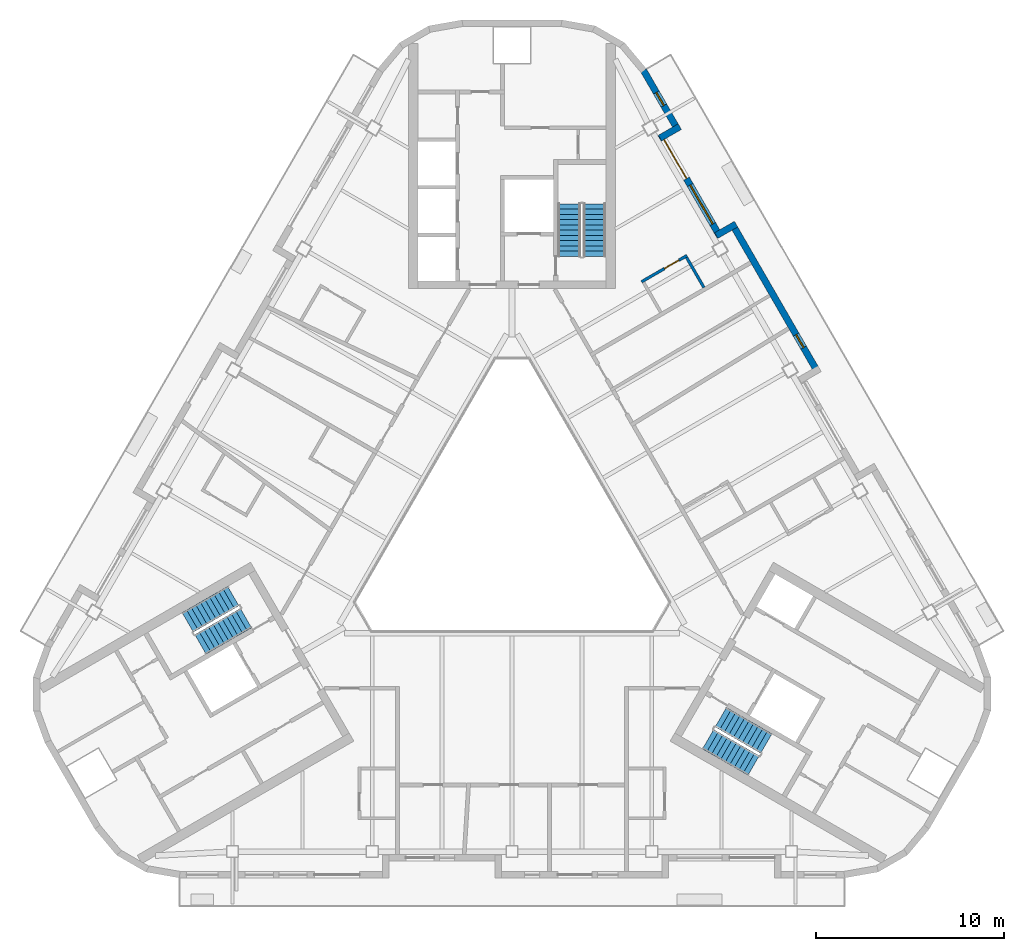
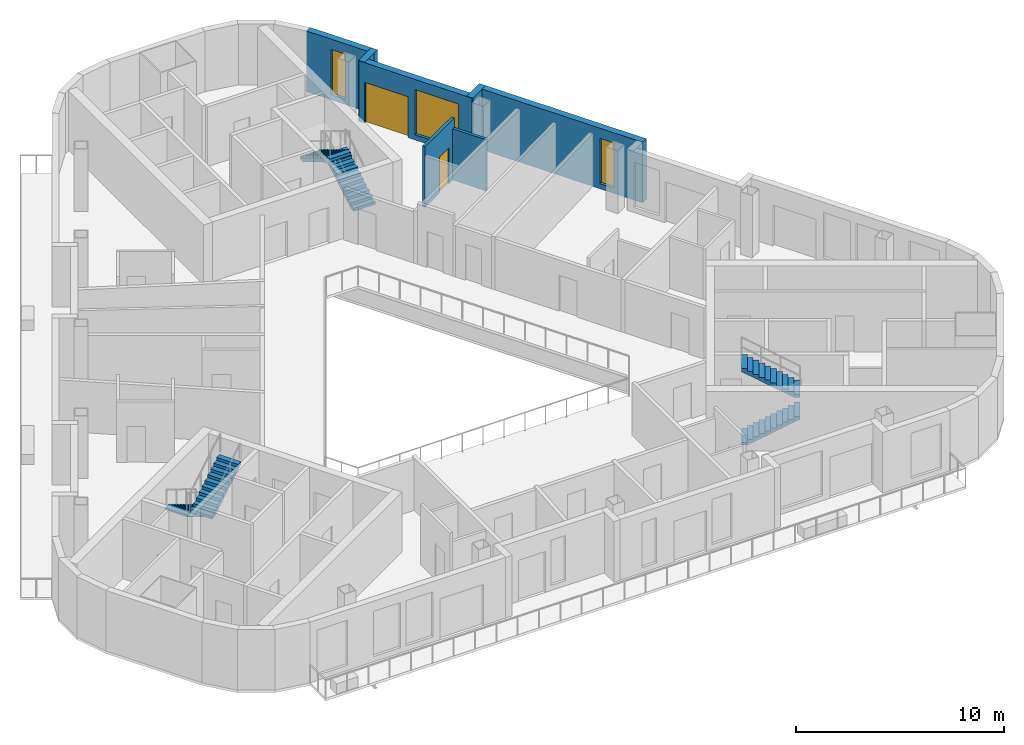
# One storey, part 8 of 13: 7 walls, 6 stair flights, 3 windows, 2 doors, 5 openings, 3 elements without a shape of their own.
"""IFC4 building model written with IfcOpenShell, lengths in metres."""

from ifc_helpers import new_model, si_unit, direction, frame, frame_2d, origin, place, context, subcontext, project, spatial, polyline, rectangle, outline, extrude, material, layer, layer_set, type_object, element, fill, aggregate, save


model = new_model("IFC4")

# Units and contexts
model_context = context("Model", 3, precision=1e-05, world=origin(), true_north=direction((0.0, 1.0)))
body_context = subcontext(model_context, "Body", "Model", "MODEL_VIEW")
ifc_project = project(units=[si_unit("LENGTHUNIT", "METRE"), si_unit("AREAUNIT", "SQUARE_METRE"), si_unit("VOLUMEUNIT", "CUBIC_METRE"), si_unit("PLANEANGLEUNIT", "RADIAN"), si_unit("MASSUNIT", "GRAM", prefix="KILO")], contexts=[model_context])

# Site, building, storey
site_placement = place(None, origin())
site = spatial("IfcSite", under=ifc_project, at=site_placement, CompositionType="ELEMENT")
building_placement = place(site_placement, origin())
building = spatial("IfcBuilding", under=site, at=building_placement, Name="Apuvela Tower Hotel", CompositionType="ELEMENT")
storey_placement = place(building_placement, frame((0.0, 0.0, 272.60009765625)))
storey = spatial("IfcBuildingStorey", under=building, at=storey_placement, Name="L67", CompositionType="ELEMENT", Elevation=272.60009765625)

# Wall, opening, window
ifc_material_1 = material(Name="Concrete C40/50, dark pigmented precast panel", Category="concrete")
ifc_layer_1 = layer(ifc_material_1, 0.35009765625)
ifc_layer_set_1 = layer_set([ifc_layer_1], Name="ENV-WALL-350")
wall_type_1 = type_object("IfcWallType", Name="ENV-WALL-350", PredefinedType="SOLIDWALL", material=ifc_layer_set_1)
wall_1_placement = place(storey_placement, frame((16.31640625, 8.381103515625, 0.0), z_axis=(0.0, 0.0, 1.0), x_axis=(-0.500005190411, 0.866022407078, 0.0)))
wall_1 = element("IfcWall", 1, at=wall_1_placement, inside=storey, type_object=wall_type_1, Name="External wall L67-37", PredefinedType="SOLIDWALL", context=body_context, shape_type="SweptSolid", body=[
    extrude(rectangle(XDim=9.24365234375, YDim=0.35009765625, at=frame_2d((4.621826171875, 0.0))), origin(), (0.0, 0.0, 1.0), 3.5498046875),
])
opening_1_placement = place(wall_1_placement, frame((1.5751953125, 0.0, 0.300048828125)))
opening_1 = element("IfcOpeningElement", 2, at=opening_1_placement, cuts=wall_1, Name="Opening WN08", PredefinedType="OPENING", context=body_context, shape_type="SweptSolid", body=[
    extrude(rectangle(XDim=0.800048828125, YDim=2.64990234375, at=frame_2d((0.39990234375, 1.324951171875))), frame((0.0, 0.18505859375, 0.0), z_axis=(0.0, -1.0, 0.0), x_axis=(1.0, 0.0, 0.0)), (0.0, 0.0, 1.0), 0.3701171875),
])
ifc_material_2 = material(Name="Glass, dark tinted laminated insulated glazing unit", Category="glass")
window_type_1 = type_object("IfcWindowType", Name="ENV-WIN-800x2650", PartitioningType="SINGLE_PANEL", PredefinedType="WINDOW", material=ifc_material_2)
window_1_placement = place(opening_1_placement, origin())
window_1 = element("IfcWindow", 3, at=window_1_placement, inside=storey, type_object=window_type_1, Name="Window WN08", OverallHeight=2.64990234375, OverallWidth=0.800048828125, PartitioningType="SINGLE_PANEL", PredefinedType="WINDOW", context=body_context, shape_type="SweptSolid", body=[
    extrude(rectangle(XDim=0.800048828125, YDim=2.64990234375, at=frame_2d((0.39990234375, 1.324951171875))), frame((0.0, 0.030029296875, 0.0), z_axis=(0.0, -1.0, 0.0), x_axis=(1.0, 0.0, 0.0)), (0.0, 0.0, 1.0), 0.06005859375),
])
fill(opening_1, window_1)

# Wall
wall_2_placement = place(storey_placement, frame((11.93359375, 16.322265625, 0.0), z_axis=(0.0, 0.0, 1.0), x_axis=(-0.866005645448, -0.500034220881, 0.0)))
element("IfcWall", 4, at=wall_2_placement, inside=storey, type_object=wall_type_1, Name="External wall L67-38", PredefinedType="SOLIDWALL", context=body_context, shape_type="SweptSolid", body=[
    extrude(rectangle(XDim=1.22021484375, YDim=0.35009765625, at=frame_2d((0.610107421875, 0.0))), origin(), (0.0, 0.0, 1.0), 3.5498046875),
])

# Wall, openings, door, window
wall_3_placement = place(storey_placement, frame((11.074951171875, 15.6591796875, 0.0), z_axis=(0.0, 0.0, 1.0), x_axis=(-0.499983676521, 0.866034827944, 0.0)))
wall_3 = element("IfcWall", 5, at=wall_3_placement, inside=storey, type_object=wall_type_1, Name="External wall L67-39", PredefinedType="SOLIDWALL", context=body_context, shape_type="SweptSolid", body=[
    extrude(rectangle(XDim=6.283447265625, YDim=0.35009765625, at=frame_2d((3.1416015625, 0.0))), origin(), (0.0, 0.0, 1.0), 3.5498046875),
])
opening_2_placement = place(wall_3_placement, frame((3.5634765625, 0.0, 0.0)))
opening_2 = element("IfcOpeningElement", 6, at=opening_2_placement, cuts=wall_3, Name="Opening BD24", PredefinedType="OPENING", context=body_context, shape_type="SweptSolid", body=[
    extrude(rectangle(XDim=2.39990234375, YDim=2.39990234375, at=frame_2d((1.199951171875, 1.199951171875))), frame((0.0, 0.18505859375, 0.0), z_axis=(0.0, -1.0, 0.0), x_axis=(1.0, 0.0, 0.0)), (0.0, 0.0, 1.0), 0.3701171875),
])
opening_3_placement = place(wall_3_placement, frame((0.77001953125, 0.0, 0.300048828125)))
opening_3 = element("IfcOpeningElement", 7, at=opening_3_placement, cuts=wall_3, Name="Opening WN24", PredefinedType="OPENING", context=body_context, shape_type="SweptSolid", body=[
    extrude(rectangle(XDim=2.39990234375, YDim=2.64990234375, at=frame_2d((1.199951171875, 1.324951171875))), frame((0.0, 0.18505859375, 0.0), z_axis=(0.0, -1.0, 0.0), x_axis=(1.0, 0.0, 0.0)), (0.0, 0.0, 1.0), 0.3701171875),
])
ifc_material_3 = material(Name="Aluminium 6063-T6, dark bronze anodised frame with dark tinted laminated glass", Category="aluminium")
door_type_1 = type_object("IfcDoorType", Name="ENV-DOOR-BALCONY-2400x2400", OperationType="SLIDING_TO_LEFT", PredefinedType="DOOR", material=ifc_material_3)
door_1_placement = place(opening_2_placement, frame((2.39990234375, 0.0, 0.0), z_axis=(0.0, 0.0, 1.0), x_axis=(-1.0, 0.0, 0.0)))
door_1 = element("IfcDoor", 8, at=door_1_placement, inside=storey, type_object=door_type_1, Name="Balcony door BD24", OperationType="SLIDING_TO_LEFT", OverallHeight=2.39990234375, OverallWidth=2.39990234375, PredefinedType="DOOR", context=body_context, shape_type="SweptSolid", body=[
    extrude(rectangle(XDim=2.39990234375, YDim=2.39990234375, at=frame_2d((1.199951171875, 1.199951171875))), frame((0.0, 0.02490234375, 0.0), z_axis=(0.0, -1.0, 0.0), x_axis=(1.0, 0.0, 0.0)), (0.0, 0.0, 1.0), 0.050048828125),
])
fill(opening_2, door_1)
window_type_2 = type_object("IfcWindowType", Name="ENV-WIN-2400x2650", PartitioningType="SINGLE_PANEL", PredefinedType="WINDOW", material=ifc_material_2)
window_2_placement = place(opening_3_placement, origin())
window_2 = element("IfcWindow", 9, at=window_2_placement, inside=storey, type_object=window_type_2, Name="Window WN24", OverallHeight=2.64990234375, OverallWidth=2.39990234375, PartitioningType="SINGLE_PANEL", PredefinedType="WINDOW", context=body_context, shape_type="SweptSolid", body=[
    extrude(rectangle(XDim=2.39990234375, YDim=2.64990234375, at=frame_2d((1.199951171875, 1.324951171875))), frame((0.0, 0.030029296875, 0.0), z_axis=(0.0, -1.0, 0.0), x_axis=(1.0, 0.0, 0.0)), (0.0, 0.0, 1.0), 0.06005859375),
])
fill(opening_3, window_2)

# Wall
wall_4_placement = place(storey_placement, frame((7.880126953125, 20.902587890625, 0.0), z_axis=(0.0, 0.0, 1.0), x_axis=(0.866005645448, 0.500034220881, 0.0)))
element("IfcWall", 10, at=wall_4_placement, inside=storey, type_object=wall_type_1, Name="External wall L67-40", PredefinedType="SOLIDWALL", context=body_context, shape_type="SweptSolid", body=[
    extrude(rectangle(XDim=1.22021484375, YDim=0.35009765625, at=frame_2d((0.610107421875, 0.0))), origin(), (0.0, 0.0, 1.0), 3.5498046875),
])

# Wall, opening, window
wall_5_placement = place(storey_placement, frame((8.872802734375, 21.273681640625, 0.0), z_axis=(0.0, 0.0, 1.0), x_axis=(-0.50001992892, 0.866013897511, 0.0)))
wall_5 = element("IfcWall", 11, at=wall_5_placement, inside=storey, type_object=wall_type_1, Name="External wall L67-41", PredefinedType="SOLIDWALL", context=body_context, shape_type="SweptSolid", body=[
    extrude(rectangle(XDim=3.741455078125, YDim=0.35009765625, at=frame_2d((1.87060546875, 0.0))), origin(), (0.0, 0.0, 1.0), 3.5498046875),
])
opening_4_placement = place(wall_5_placement, frame((1.5751953125, 0.0, 0.300048828125)))
opening_4 = element("IfcOpeningElement", 12, at=opening_4_placement, cuts=wall_5, Name="Opening WN08", PredefinedType="OPENING", context=body_context, shape_type="SweptSolid", body=[
    extrude(rectangle(XDim=0.800048828125, YDim=2.64990234375, at=frame_2d((0.39990234375, 1.324951171875))), frame((0.0, 0.18505859375, 0.0), z_axis=(0.0, -1.0, 0.0), x_axis=(1.0, 0.0, 0.0)), (0.0, 0.0, 1.0), 0.3701171875),
])
window_3_placement = place(opening_4_placement, origin())
window_3 = element("IfcWindow", 13, at=window_3_placement, inside=storey, type_object=window_type_1, Name="Window WN08", OverallHeight=2.64990234375, OverallWidth=0.800048828125, PartitioningType="SINGLE_PANEL", PredefinedType="WINDOW", context=body_context, shape_type="SweptSolid", body=[
    extrude(rectangle(XDim=0.800048828125, YDim=2.64990234375, at=frame_2d((0.39990234375, 1.324951171875))), frame((0.0, 0.030029296875, 0.0), z_axis=(0.0, -1.0, 0.0), x_axis=(1.0, 0.0, 0.0)), (0.0, 0.0, 1.0), 0.06005859375),
])
fill(opening_4, window_3)

# Wall, opening, door
ifc_material_4 = material(Name="Moisture-resistant gypsum board wet wall on steel stud", Category="steel")
ifc_layer_2 = layer(ifc_material_4, 0.14990234375)
ifc_layer_set_2 = layer_set([ifc_layer_2], Name="GST-PW3")
wall_type_2 = type_object("IfcWallType", Name="GST-PW3", PredefinedType="PARTITIONING", material=ifc_layer_set_2)
wall_6_placement = place(storey_placement, frame((9.32421875, 14.64990234375, 0.0), z_axis=(0.0, 0.0, 1.0), x_axis=(-0.866034573852, -0.49998411664, 0.0)))
wall_6 = element("IfcWall", 14, at=wall_6_placement, inside=storey, type_object=wall_type_2, Name="L67 partition 33", PredefinedType="PARTITIONING", context=body_context, shape_type="SweptSolid", body=[
    extrude(rectangle(XDim=2.7998046875, YDim=0.14990234375, at=frame_2d((1.39990234375, 0.0))), origin(), (0.0, 0.0, 1.0), 3.5498046875),
])
opening_5_placement = place(wall_6_placement, frame((0.5, 0.0, 0.0)))
opening_5 = element("IfcOpeningElement", 15, at=opening_5_placement, cuts=wall_6, Name="Opening GD26-14", PredefinedType="OPENING", context=body_context, shape_type="SweptSolid", body=[
    extrude(rectangle(XDim=0.89990234375, YDim=2.10009765625, at=frame_2d((0.449951171875, 1.050048828125))), frame((0.0, 0.0849609375, 0.0), z_axis=(0.0, -1.0, 0.0), x_axis=(1.0, 0.0, 0.0)), (0.0, 0.0, 1.0), 0.169921875),
])
ifc_material_5 = material(Name="Timber door leaf in steel frame", Category="steel")
door_type_2 = type_object("IfcDoorType", Name="GST-D2", OperationType="NOTDEFINED", PredefinedType="DOOR", material=ifc_material_5)
door_2_placement = place(opening_5_placement, origin())
door_2 = element("IfcDoor", 16, at=door_2_placement, inside=storey, type_object=door_type_2, Name="Door L67-14", OperationType="SINGLE_SWING_LEFT", OverallHeight=2.10009765625, OverallWidth=0.89990234375, PredefinedType="DOOR", context=body_context, shape_type="SweptSolid", body=[
    extrude(rectangle(XDim=0.89990234375, YDim=2.10009765625, at=frame_2d((0.449951171875, 1.050048828125))), frame((0.0, 0.02490234375, 0.0), z_axis=(0.0, -1.0, 0.0), x_axis=(1.0, 0.0, 0.0)), (0.0, 0.0, 1.0), 0.050048828125),
])
fill(opening_5, door_2)

# Wall
wall_7_placement = place(storey_placement, frame((10.2216796875, 12.9453125, 0.0), z_axis=(0.0, 0.0, 1.0), x_axis=(-0.49994333299, 0.866058118026, 0.0)))
element("IfcWall", 17, at=wall_7_placement, inside=storey, type_object=wall_type_2, Name="L67 partition 34", PredefinedType="PARTITIONING", context=body_context, shape_type="SweptSolid", body=[
    extrude(rectangle(XDim=1.849853515625, YDim=0.14990234375, at=frame_2d((0.9248046875, 0.0))), origin(), (0.0, 0.0, 1.0), 3.0),
])

# Stair, stair flights
ifc_material_6 = material(Name="Concrete C50/60", Category="concrete")
stair_type = type_object("IfcStairType", Name="COR-STAIR-22R", PredefinedType="HALF_TURN_STAIR", material=ifc_material_6)
stair_1_placement = place(storey_placement, origin())
stair_1 = element("IfcStair", 18, at=stair_1_placement, inside=storey, type_object=stair_type, Name="L67 Exit stair ST1", PredefinedType="HALF_TURN_STAIR")
stair_flight_type = type_object("IfcStairFlightType", Name="COR-FLIGHT-11R", PredefinedType="STRAIGHT", material=ifc_material_6)
stair_flight_1_placement = place(storey_placement, frame((4.39990234375, 14.60009765625, 0.0), z_axis=(0.0, 0.0, 1.0), x_axis=(0.0, 1.0, 0.0)))
stair_flight_1 = element("IfcStairFlight", 19, at=stair_flight_1_placement, type_object=stair_flight_type, Name="ST1 flight 1", NumberOfRisers=11, NumberOfTreads=10, PredefinedType="STRAIGHT", RiserHeight=0.168181818, TreadLength=0.28, context=body_context, shape_type="SweptSolid", body=[
    extrude(outline(polyline([(0.0, 0.0), (0.0, 0.168212890625), (0.280029296875, 0.168212890625), (0.280029296875, 0.33642578125), (0.56005859375, 0.33642578125), (0.56005859375, 0.504638671875), (0.840087890625, 0.504638671875), (0.840087890625, 0.672607421875), (1.1201171875, 0.672607421875), (1.1201171875, 0.8408203125), (1.39990234375, 0.8408203125), (1.39990234375, 1.009033203125), (1.679931640625, 1.009033203125), (1.679931640625, 1.17724609375), (1.9599609375, 1.17724609375), (1.9599609375, 1.345458984375), (2.239990234375, 1.345458984375), (2.239990234375, 1.513671875), (2.52001953125, 1.513671875), (2.52001953125, 1.681884765625), (2.800048828125, 1.681884765625), (2.800048828125, 1.85009765625), (2.800048828125, 1.5068359375), (0.291015625, 0.0), (0.0, 0.0)])), frame((0.0, 0.60009765625, 0.0), z_axis=(0.0, -1.0, 0.0), x_axis=(1.0, 0.0, 0.0)), (0.0, 0.0, 1.0), 1.199951171875),
])
stair_flight_2_placement = place(storey_placement, frame((3.050048828125, 17.39990234375, 1.849853515625), z_axis=(0.0, 0.0, 1.0), x_axis=(0.0, -1.0, 0.0)))
stair_flight_2 = element("IfcStairFlight", 20, at=stair_flight_2_placement, type_object=stair_flight_type, Name="ST1 flight 2", NumberOfRisers=11, NumberOfTreads=10, PredefinedType="STRAIGHT", RiserHeight=0.168181818, TreadLength=0.28, context=body_context, shape_type="SweptSolid", body=[
    extrude(outline(polyline([(0.0, 0.0), (0.0, 0.168212890625), (0.280029296875, 0.168212890625), (0.280029296875, 0.33642578125), (0.56005859375, 0.33642578125), (0.56005859375, 0.504638671875), (0.840087890625, 0.504638671875), (0.840087890625, 0.672607421875), (1.1201171875, 0.672607421875), (1.1201171875, 0.8408203125), (1.39990234375, 0.8408203125), (1.39990234375, 1.009033203125), (1.679931640625, 1.009033203125), (1.679931640625, 1.17724609375), (1.9599609375, 1.17724609375), (1.9599609375, 1.345458984375), (2.239990234375, 1.345458984375), (2.239990234375, 1.513671875), (2.52001953125, 1.513671875), (2.52001953125, 1.681884765625), (2.800048828125, 1.681884765625), (2.800048828125, 1.85009765625), (2.800048828125, 1.5068359375), (0.291015625, 0.0), (0.0, 0.0)])), frame((0.0, 0.60009765625, 0.0), z_axis=(0.0, -1.0, 0.0), x_axis=(1.0, 0.0, 0.0)), (0.0, 0.0, 1.0), 1.199951171875),
])
aggregate(stair_1, [stair_flight_1, stair_flight_2])

stair_2_placement = place(storey_placement, origin())
stair_2 = element("IfcStair", 21, at=stair_2_placement, inside=storey, type_object=stair_type, Name="L67 Exit stair ST2", PredefinedType="HALF_TURN_STAIR")
stair_flight_3_placement = place(storey_placement, frame((-14.843994140625, -3.489501953125, 0.0), z_axis=(0.0, 0.0, 1.0), x_axis=(-0.866025403784, -0.5, 0.0)))
stair_flight_3 = element("IfcStairFlight", 22, at=stair_flight_3_placement, type_object=stair_flight_type, Name="ST2 flight 1", NumberOfRisers=11, NumberOfTreads=10, PredefinedType="STRAIGHT", RiserHeight=0.168181818, TreadLength=0.28, context=body_context, shape_type="SweptSolid", body=[
    extrude(outline(polyline([(0.0, 0.0), (0.0, 0.168212890625), (0.280029296875, 0.168212890625), (0.280029296875, 0.33642578125), (0.56005859375, 0.33642578125), (0.56005859375, 0.504638671875), (0.840087890625, 0.504638671875), (0.840087890625, 0.672607421875), (1.1201171875, 0.672607421875), (1.1201171875, 0.8408203125), (1.39990234375, 0.8408203125), (1.39990234375, 1.009033203125), (1.679931640625, 1.009033203125), (1.679931640625, 1.17724609375), (1.9599609375, 1.17724609375), (1.9599609375, 1.345458984375), (2.239990234375, 1.345458984375), (2.239990234375, 1.513671875), (2.52001953125, 1.513671875), (2.52001953125, 1.681884765625), (2.800048828125, 1.681884765625), (2.800048828125, 1.85009765625), (2.800048828125, 1.5068359375), (0.291015625, 0.0), (0.0, 0.0)])), frame((0.0, 0.60009765625, 0.0), z_axis=(0.0, -1.0, 0.0), x_axis=(1.0, 0.0, 0.0)), (0.0, 0.0, 1.0), 1.199951171875),
])
stair_flight_4_placement = place(storey_placement, frame((-16.59375, -6.05859375, 1.849853515625), z_axis=(0.0, 0.0, 1.0), x_axis=(0.866025403784, 0.5, 0.0)))
stair_flight_4 = element("IfcStairFlight", 23, at=stair_flight_4_placement, type_object=stair_flight_type, Name="ST2 flight 2", NumberOfRisers=11, NumberOfTreads=10, PredefinedType="STRAIGHT", RiserHeight=0.168181818, TreadLength=0.28, context=body_context, shape_type="SweptSolid", body=[
    extrude(outline(polyline([(0.0, 0.0), (0.0, 0.168212890625), (0.280029296875, 0.168212890625), (0.280029296875, 0.33642578125), (0.56005859375, 0.33642578125), (0.56005859375, 0.504638671875), (0.840087890625, 0.504638671875), (0.840087890625, 0.672607421875), (1.1201171875, 0.672607421875), (1.1201171875, 0.8408203125), (1.39990234375, 0.8408203125), (1.39990234375, 1.009033203125), (1.679931640625, 1.009033203125), (1.679931640625, 1.17724609375), (1.9599609375, 1.17724609375), (1.9599609375, 1.345458984375), (2.239990234375, 1.345458984375), (2.239990234375, 1.513671875), (2.52001953125, 1.513671875), (2.52001953125, 1.681884765625), (2.800048828125, 1.681884765625), (2.800048828125, 1.85009765625), (2.800048828125, 1.5068359375), (0.291015625, 0.0), (0.0, 0.0)])), frame((0.0, 0.60009765625, 0.0), z_axis=(0.0, -1.0, 0.0), x_axis=(1.0, 0.0, 0.0)), (0.0, 0.0, 1.0), 1.199951171875),
])
aggregate(stair_2, [stair_flight_3, stair_flight_4])

stair_3_placement = place(storey_placement, origin())
stair_3 = element("IfcStair", 24, at=stair_3_placement, inside=storey, type_object=stair_type, Name="L67 Exit stair ST3", PredefinedType="HALF_TURN_STAIR")
stair_flight_5_placement = place(storey_placement, frame((10.444091796875, -11.110595703125, 0.0), z_axis=(0.0, 0.0, 1.0), x_axis=(0.866025403784, -0.5, 0.0)))
stair_flight_5 = element("IfcStairFlight", 25, at=stair_flight_5_placement, type_object=stair_flight_type, Name="ST3 flight 1", NumberOfRisers=11, NumberOfTreads=10, PredefinedType="STRAIGHT", RiserHeight=0.168181818, TreadLength=0.28, context=body_context, shape_type="SweptSolid", body=[
    extrude(outline(polyline([(0.0, 0.0), (0.0, 0.168212890625), (0.280029296875, 0.168212890625), (0.280029296875, 0.33642578125), (0.56005859375, 0.33642578125), (0.56005859375, 0.504638671875), (0.840087890625, 0.504638671875), (0.840087890625, 0.672607421875), (1.1201171875, 0.672607421875), (1.1201171875, 0.8408203125), (1.39990234375, 0.8408203125), (1.39990234375, 1.009033203125), (1.679931640625, 1.009033203125), (1.679931640625, 1.17724609375), (1.9599609375, 1.17724609375), (1.9599609375, 1.345458984375), (2.239990234375, 1.345458984375), (2.239990234375, 1.513671875), (2.52001953125, 1.513671875), (2.52001953125, 1.681884765625), (2.800048828125, 1.681884765625), (2.800048828125, 1.85009765625), (2.800048828125, 1.5068359375), (0.291015625, 0.0), (0.0, 0.0)])), frame((0.0, 0.60009765625, 0.0), z_axis=(0.0, -1.0, 0.0), x_axis=(1.0, 0.0, 0.0)), (0.0, 0.0, 1.0), 1.199951171875),
])
stair_flight_6_placement = place(storey_placement, frame((13.5439453125, -11.34130859375, 1.849853515625), z_axis=(0.0, 0.0, 1.0), x_axis=(-0.866025403784, 0.5, 0.0)))
stair_flight_6 = element("IfcStairFlight", 26, at=stair_flight_6_placement, type_object=stair_flight_type, Name="ST3 flight 2", NumberOfRisers=11, NumberOfTreads=10, PredefinedType="STRAIGHT", RiserHeight=0.168181818, TreadLength=0.28, context=body_context, shape_type="SweptSolid", body=[
    extrude(outline(polyline([(0.0, 0.0), (0.0, 0.168212890625), (0.280029296875, 0.168212890625), (0.280029296875, 0.33642578125), (0.56005859375, 0.33642578125), (0.56005859375, 0.504638671875), (0.840087890625, 0.504638671875), (0.840087890625, 0.672607421875), (1.1201171875, 0.672607421875), (1.1201171875, 0.8408203125), (1.39990234375, 0.8408203125), (1.39990234375, 1.009033203125), (1.679931640625, 1.009033203125), (1.679931640625, 1.17724609375), (1.9599609375, 1.17724609375), (1.9599609375, 1.345458984375), (2.239990234375, 1.345458984375), (2.239990234375, 1.513671875), (2.52001953125, 1.513671875), (2.52001953125, 1.681884765625), (2.800048828125, 1.681884765625), (2.800048828125, 1.85009765625), (2.800048828125, 1.5068359375), (0.291015625, 0.0), (0.0, 0.0)])), frame((0.0, 0.60009765625, 0.0), z_axis=(0.0, -1.0, 0.0), x_axis=(1.0, 0.0, 0.0)), (0.0, 0.0, 1.0), 1.199951171875),
])
aggregate(stair_3, [stair_flight_5, stair_flight_6])

save(model, "model.ifc")
